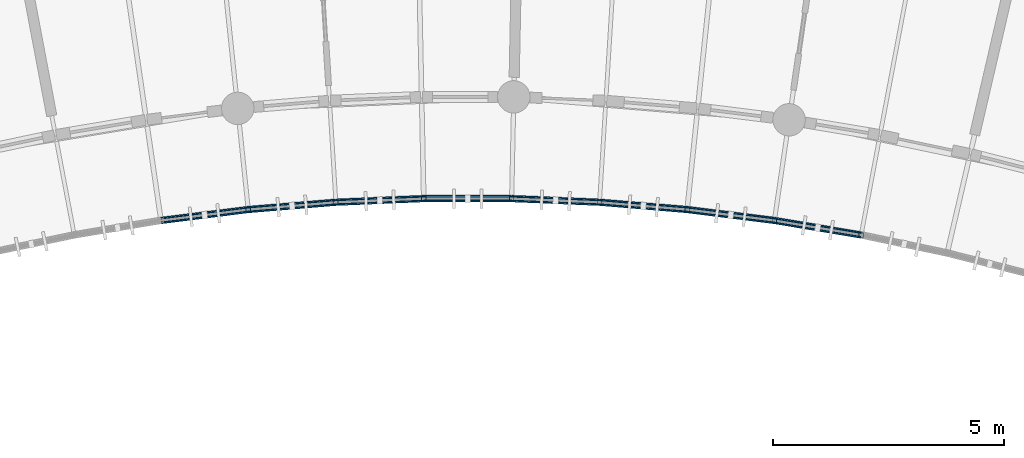
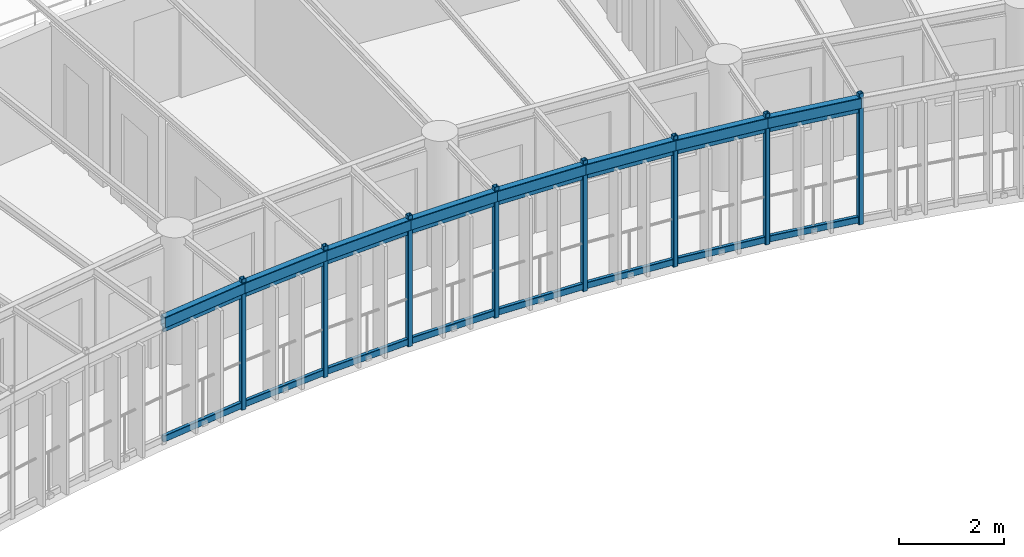
# One storey, part 45 of 123: 24 members, 8 beams.
"""IFC4 building model written with IfcOpenShell, lengths in metres."""

import ifcopenshell
import ifcopenshell.guid

model = None  # the IFC model being written
_history = None  # IfcOwnerHistory: only IFC2X3 demands one
_inside = {}  # id of a spatial element -> (the spatial element, [elements in it])
_under = {}  # id of a project, library or spatial element -> (it, [spatial elements below it])
_declared = {}  # id of a project -> (the project, [libraries it declares])
_typed = {}  # id of a type object -> (the type object, [elements of that type])
_made_of = {}  # id of a material, layer set ... -> (it, [elements and type objects made of it])


def new_model(schema):
    """Start an empty IFC model of exactly this schema.

    Asked for "IFC4X3", IfcOpenShell would pick the latest addendum, in which some entities
    have other attributes; the version numbers below select the first issue.
    IFC2X3 requires an IfcOwnerHistory on every rooted entity: one is made here for all.
    """
    global model, _history
    if schema == "IFC4X3":
        model = ifcopenshell.file(schema_version=(4, 3, 0, 0))
    else:
        model = ifcopenshell.file(schema=schema)
    _inside.clear()
    _under.clear()
    _declared.clear()
    _typed.clear()
    _made_of.clear()
    _history = None
    if model.schema == "IFC2X3":
        org = make("IfcOrganization", Name="unknown")
        user = make(
            "IfcPersonAndOrganization",
            ThePerson=make("IfcPerson", FamilyName="unknown"),
            TheOrganization=org,
        )
        app = make(
            "IfcApplication",
            ApplicationDeveloper=org,
            Version="unknown",
            ApplicationFullName="unknown",
            ApplicationIdentifier="unknown",
        )
        _history = make(
            "IfcOwnerHistory",
            OwningUser=user,
            OwningApplication=app,
            ChangeAction="ADDED",
            CreationDate=0,
        )
    return model


def make(cls, **values):
    """One entity of the class cls with the attributes given. An attribute that is None is left unset."""
    return model.create_entity(
        cls, **{name: value for name, value in values.items() if value is not None}
    )


def rooted(cls, **values):
    """An entity with a GlobalId (a new one), such as an element, a storey or a relation."""
    return make(cls, GlobalId=ifcopenshell.guid.new(), OwnerHistory=_history, **values)


def si_unit(unit_type, name, prefix=None):
    """IfcSIUnit, for example si_unit("LENGTHUNIT", "METRE", prefix="MILLI")."""
    return make("IfcSIUnit", UnitType=unit_type, Prefix=prefix, Name=name)


def assignment(units):
    """IfcUnitAssignment: the units of a project."""
    return None if units is None else make("IfcUnitAssignment", Units=units)


def point(xyz):
    """IfcCartesianPoint."""
    return None if xyz is None else make("IfcCartesianPoint", Coordinates=xyz)


def direction(xyz):
    """IfcDirection."""
    return None if xyz is None else make("IfcDirection", DirectionRatios=xyz)


def frame(location, z_axis=None, x_axis=None):
    """IfcAxis2Placement3D, a coordinate frame: its origin and axes. An axis left out is left unset."""
    return make(
        "IfcAxis2Placement3D",
        Location=point(location),
        Axis=direction(z_axis),
        RefDirection=direction(x_axis),
    )


def frame_2d(location, x_axis=None):
    """IfcAxis2Placement2D, a coordinate frame in the plane: its origin and x axis."""
    return make(
        "IfcAxis2Placement2D", Location=point(location), RefDirection=direction(x_axis)
    )


def origin():
    """The frame at (0, 0, 0) with its axes left unset."""
    return frame((0.0, 0.0, 0.0))


def origin_2d():
    """The frame at (0, 0) in the plane with its x axis left unset."""
    return frame_2d((0.0, 0.0))


def place(relative_to, where):
    """IfcLocalPlacement: puts the frame where relative to a parent placement (None: the world)."""
    return make(
        "IfcLocalPlacement", PlacementRelTo=relative_to, RelativePlacement=where
    )


def context(
    kind, dimensions, precision=None, world=None, true_north=None, identifier=None
):
    """IfcGeometricRepresentationContext, for example the 3D "Model" context."""
    return make(
        "IfcGeometricRepresentationContext",
        ContextIdentifier=identifier,
        ContextType=kind,
        CoordinateSpaceDimension=dimensions,
        Precision=precision,
        WorldCoordinateSystem=world,
        TrueNorth=true_north,
    )


def subcontext(parent, identifier, kind, view, scale=None):
    """IfcGeometricRepresentationSubContext, for example "Body" below "Model"."""
    return make(
        "IfcGeometricRepresentationSubContext",
        ContextIdentifier=identifier,
        ContextType=kind,
        ParentContext=parent,
        TargetScale=scale,
        TargetView=view,
    )


def project(units=None, contexts=None):
    """IfcProject with its units and contexts."""
    return rooted(
        "IfcProject",
        Name="project",
        RepresentationContexts=contexts,
        UnitsInContext=assignment(units),
    )


def spatial(cls, under=None, at=None, **own):
    """A site, building, storey or space (cls), placed at a placement, below another one or the project."""
    s = rooted(cls, ObjectPlacement=at, **own)
    if under is not None:
        _under.setdefault(under.id(), (under, []))[1].append(s)
    return s


def profile(cls, at=None, kind="AREA", **sizes):
    """A parametric profile (cls). Its sizes go by their IFC names, for example OverallWidth=200.0."""
    return make(cls, ProfileType=kind, Position=at, **sizes)


def hollow_rectangle(**sizes):
    """IfcRectangleHollowProfileDef."""
    return profile("IfcRectangleHollowProfileDef", **sizes)


def extrude(swept, where, along, depth):
    """IfcExtrudedAreaSolid: the profile swept, set in the frame where, extruded along a direction by depth."""
    return make(
        "IfcExtrudedAreaSolid",
        SweptArea=swept,
        Position=where,
        ExtrudedDirection=direction(along),
        Depth=depth,
    )


def shape(context_of_items, identifier, shape_type, items):
    """IfcShapeRepresentation: the items that make up one representation, for example the "Body"."""
    return make(
        "IfcShapeRepresentation",
        ContextOfItems=context_of_items,
        RepresentationIdentifier=identifier,
        RepresentationType=shape_type,
        Items=items,
    )


def material(Name=None, Category=None):
    """IfcMaterial."""
    return make("IfcMaterial", Name=Name, Category=Category)


def material_profile(
    of_material, cross_section, Name=None, Category=None, Priority=None
):
    """IfcMaterialProfile: a cross section and its material."""
    return make(
        "IfcMaterialProfile",
        Name=Name,
        Material=of_material,
        Profile=cross_section,
        Priority=Priority,
        Category=Category,
    )


def profile_set(profiles, Name=None, composite=None):
    """IfcMaterialProfileSet."""
    return make(
        "IfcMaterialProfileSet",
        Name=Name,
        MaterialProfiles=profiles,
        CompositeProfile=composite,
    )


def made_of(thing, what):
    """Note that an element or type object is made of a material, layer set ...; save() writes the relation."""
    if what is not None:
        _made_of.setdefault(what.id(), (what, []))[1].append(thing)
    return thing


def type_object(cls, material=None, **own):
    """A type object (cls), such as IfcWallType, which elements share."""
    return made_of(rooted(cls, **own), material)


def element(
    cls,
    number,
    at=None,
    inside=None,
    cuts=None,
    type_object=None,
    material=None,
    context=None,
    identifier="Body",
    shape_type=None,
    held_by="IfcProductDefinitionShape",
    body=None,
    shapes=None,
    **own,
):
    """One element of the class cls, such as IfcWall. Its Tag is "e" and its number.

    at: its placement. inside: the storey or other place that contains it. cuts: it is an
    opening in that element (IfcRelVoidsElement). A single representation is given by context,
    identifier, shape_type and body (its items); several are given by shapes. held_by: the class
    of the entity that holds the representations. save() writes the other relations.
    """
    e = rooted(cls, Tag="e%d" % number, ObjectPlacement=at, **own)
    if body is not None:
        shapes = [shape(context, identifier, shape_type, body)]
    if shapes is not None:
        e.Representation = make(held_by, Representations=shapes)
    if inside is not None:
        _inside.setdefault(inside.id(), (inside, []))[1].append(e)
    if cuts is not None:
        rooted(
            "IfcRelVoidsElement", RelatingBuildingElement=cuts, RelatedOpeningElement=e
        )
    if type_object is not None:
        _typed.setdefault(type_object.id(), (type_object, []))[1].append(e)
    return made_of(e, material)


def aggregate(whole, parts):
    """IfcRelAggregates: a whole, such as a stair, and the parts it consists of."""
    return rooted("IfcRelAggregates", RelatingObject=whole, RelatedObjects=parts)


def save(model, path):
    """Write the relations noted so far, then the file.

    IfcRelAggregates (storeys below a building ...), IfcRelContainedInSpatialStructure (elements
    in a storey), IfcRelDefinesByType, IfcRelAssociatesMaterial and IfcRelDeclares: one each for
    every whole, place, type object, material and project.
    """
    for whole, parts in _under.values():
        aggregate(whole, parts)
    for where, things in _inside.values():
        rooted(
            "IfcRelContainedInSpatialStructure",
            RelatedElements=things,
            RelatingStructure=where,
        )
    for kind, things in _typed.values():
        rooted("IfcRelDefinesByType", RelatedObjects=things, RelatingType=kind)
    for what, things in _made_of.values():
        rooted("IfcRelAssociatesMaterial", RelatedObjects=things, RelatingMaterial=what)
    for by, libraries in _declared.values():
        rooted("IfcRelDeclares", RelatingContext=by, RelatedDefinitions=libraries)
    model.write(path)


model = new_model("IFC4")

# Units and contexts
model_context = context("Model", 3, precision=1e-05, world=origin(), true_north=direction((0.0, 1.0)))
body_context = subcontext(model_context, "Body", "Model", "MODEL_VIEW")
ifc_project = project(units=[si_unit("LENGTHUNIT", "METRE"), si_unit("AREAUNIT", "SQUARE_METRE"), si_unit("VOLUMEUNIT", "CUBIC_METRE"), si_unit("PLANEANGLEUNIT", "RADIAN"), si_unit("MASSUNIT", "GRAM", prefix="KILO"), si_unit("POWERUNIT", "WATT"), si_unit("THERMODYNAMICTEMPERATUREUNIT", "KELVIN")], contexts=[model_context])

# Site, building, storey
site_placement = place(None, origin())
site = spatial("IfcSite", under=ifc_project, at=site_placement, CompositionType="ELEMENT")
building_placement = place(site_placement, origin())
building = spatial("IfcBuilding", under=site, at=building_placement, Name="Ruvembo Vaulted Housing Court", CompositionType="ELEMENT")
storey_placement = place(building_placement, frame((0.0, 0.0, 7.699951171875)))
storey = spatial("IfcBuildingStorey", under=building, at=storey_placement, Name="L02", CompositionType="ELEMENT", Elevation=7.699951171875)

# Beams
ifc_material = material(Name="Steel S355J2", Category="steel")
ifc_material_profile_1 = material_profile(ifc_material, hollow_rectangle(XDim=0.14990234375, YDim=0.25, WallThickness=0.010009765625, InnerFilletRadius=0.010009765625, OuterFilletRadius=0.02001953125, at=origin_2d()), Name="RHS 250x150x10")
ifc_profile_set_1 = profile_set([ifc_material_profile_1], Name="Steel S355J2")
beam_type = type_object("IfcBeamType", Name="BM-ST-RHS250", PredefinedType="SPANDREL", material=ifc_profile_set_1)
for number, where, z_axis, x_axis, name in (
    (1, (110.369140625, 95.3173828125, 2.81494140625), (0.992244255502, 0.124303408739, 0.0), (-0.124303408739, 0.992244255502, 0.0), "Scoop SC3 L02 Balcony Edge Spandrel 11"),
    (2, (112.255615234375, 95.5537109375, 2.81494140625), (0.99656344911, 0.082832915551, 0.0), (-0.082832915551, 0.99656344911, 0.0), "Scoop SC3 L02 Balcony Edge Spandrel 12"),
    (3, (114.150146484375, 95.711181640625, 2.81494140625), (0.999139293915, 0.041480975827, 0.0), (-0.041480975827, 0.999139293915, 0.0), "Scoop SC3 L02 Balcony Edge Spandrel 13"),
):
    element("IfcBeam", number, at=place(storey_placement, frame(where, z_axis=z_axis, x_axis=x_axis)), inside=storey, type_object=beam_type, Name=name, PredefinedType="SPANDREL", context=body_context, shape_type="SweptSolid", body=[
        extrude(hollow_rectangle(XDim=0.14990234375, YDim=0.25, WallThickness=0.010009765625, InnerFilletRadius=0.010009765625, OuterFilletRadius=0.02001953125, at=origin_2d()), origin(), (0.0, 0.0, 1.0), 1.901123046875),
    ])
beam_1_placement = place(storey_placement, frame((116.049560546875, 95.7900390625, 2.81494140625), z_axis=(1.0, 0.0, 0.0), x_axis=(0.0, 1.0, 0.0)))
element("IfcBeam", 4, at=beam_1_placement, inside=storey, type_object=beam_type, Name="Scoop SC3 L02 Balcony Edge Spandrel 14", PredefinedType="SPANDREL", context=body_context, shape_type="SweptSolid", body=[
    extrude(hollow_rectangle(XDim=0.14990234375, YDim=0.25, WallThickness=0.010009765625, InnerFilletRadius=0.010009765625, OuterFilletRadius=0.02001953125, at=origin_2d()), origin(), (0.0, 0.0, 1.0), 1.90087890625),
])
for number, where, z_axis, x_axis, name in (
    (5, (117.950439453125, 95.7900390625, 2.81494140625), (0.999139293915, -0.041480975827, 0.0), (0.041480975827, 0.999139293915, 0.0), "Scoop SC3 L02 Balcony Edge Spandrel 15"),
    (6, (119.849853515625, 95.711181640625, 2.81494140625), (0.99656344911, -0.082832915551, 0.0), (0.082832915551, 0.99656344911, 0.0), "Scoop SC3 L02 Balcony Edge Spandrel 16"),
    (7, (121.744384765625, 95.5537109375, 2.81494140625), (0.992244255502, -0.124303408739, 0.0), (0.124303408739, 0.992244255502, 0.0), "Scoop SC3 L02 Balcony Edge Spandrel 17"),
):
    element("IfcBeam", number, at=place(storey_placement, frame(where, z_axis=z_axis, x_axis=x_axis)), inside=storey, type_object=beam_type, Name=name, PredefinedType="SPANDREL", context=body_context, shape_type="SweptSolid", body=[
        extrude(hollow_rectangle(XDim=0.14990234375, YDim=0.25, WallThickness=0.010009765625, InnerFilletRadius=0.010009765625, OuterFilletRadius=0.02001953125, at=origin_2d()), origin(), (0.0, 0.0, 1.0), 1.901123046875),
    ])
beam_2_placement = place(storey_placement, frame((123.630859375, 95.3173828125, 2.81494140625), z_axis=(0.986265186139, -0.165169557153, 0.0), x_axis=(0.165169557153, 0.986265186139, 0.0)))
element("IfcBeam", 8, at=beam_2_placement, inside=storey, type_object=beam_type, Name="Scoop SC3 L02 Balcony Edge Spandrel 18", PredefinedType="SPANDREL", context=body_context, shape_type="SweptSolid", body=[
    extrude(hollow_rectangle(XDim=0.14990234375, YDim=0.25, WallThickness=0.010009765625, InnerFilletRadius=0.010009765625, OuterFilletRadius=0.02001953125, at=origin_2d()), origin(), (0.0, 0.0, 1.0), 1.90087890625),
])

# Members
ifc_material_profile_2 = material_profile(ifc_material, hollow_rectangle(XDim=0.06005859375, YDim=0.1201171875, WallThickness=0.0048828125, InnerFilletRadius=0.0048828125, OuterFilletRadius=0.010009765625, at=origin_2d()), Name="RHS 120x60x5")
ifc_profile_set_2 = profile_set([ifc_material_profile_2], Name="Steel S355J2")
member_type_1 = type_object("IfcMemberType", Name="MEM-CAR-RHS120", PredefinedType="CHORD", material=ifc_profile_set_2)
for number, where, z_axis, x_axis, name in (
    (9, (110.369140625, 95.3173828125, 2.633056640625), (0.992244255502, 0.124303408739, 0.0), (-0.124303408739, 0.992244255502, 0.0), "Scoop SC3 L02 Upper Louvre Carrier Rail 11"),
    (10, (112.255615234375, 95.5537109375, 2.633056640625), (0.99656344911, 0.082832915551, 0.0), (-0.082832915551, 0.99656344911, 0.0), "Scoop SC3 L02 Upper Louvre Carrier Rail 12"),
    (11, (114.150146484375, 95.711181640625, 2.633056640625), (0.999139293915, 0.041480975827, 0.0), (-0.041480975827, 0.999139293915, 0.0), "Scoop SC3 L02 Upper Louvre Carrier Rail 13"),
):
    element("IfcMember", number, at=place(storey_placement, frame(where, z_axis=z_axis, x_axis=x_axis)), inside=storey, type_object=member_type_1, Name=name, PredefinedType="CHORD", context=body_context, shape_type="SweptSolid", body=[
        extrude(hollow_rectangle(XDim=0.06005859375, YDim=0.1201171875, WallThickness=0.0048828125, InnerFilletRadius=0.0048828125, OuterFilletRadius=0.010009765625, at=origin_2d()), origin(), (0.0, 0.0, 1.0), 1.901123046875),
    ])
member_1_placement = place(storey_placement, frame((116.049560546875, 95.7900390625, 2.633056640625), z_axis=(1.0, 0.0, 0.0), x_axis=(0.0, 1.0, 0.0)))
element("IfcMember", 12, at=member_1_placement, inside=storey, type_object=member_type_1, Name="Scoop SC3 L02 Upper Louvre Carrier Rail 14", PredefinedType="CHORD", context=body_context, shape_type="SweptSolid", body=[
    extrude(hollow_rectangle(XDim=0.06005859375, YDim=0.1201171875, WallThickness=0.0048828125, InnerFilletRadius=0.0048828125, OuterFilletRadius=0.010009765625, at=origin_2d()), origin(), (0.0, 0.0, 1.0), 1.90087890625),
])
for number, where, z_axis, x_axis, name in (
    (13, (117.950439453125, 95.7900390625, 2.633056640625), (0.999139293915, -0.041480975827, 0.0), (0.041480975827, 0.999139293915, 0.0), "Scoop SC3 L02 Upper Louvre Carrier Rail 15"),
    (14, (119.849853515625, 95.711181640625, 2.633056640625), (0.99656344911, -0.082832915551, 0.0), (0.082832915551, 0.99656344911, 0.0), "Scoop SC3 L02 Upper Louvre Carrier Rail 16"),
    (15, (121.744384765625, 95.5537109375, 2.633056640625), (0.992244255502, -0.124303408739, 0.0), (0.124303408739, 0.992244255502, 0.0), "Scoop SC3 L02 Upper Louvre Carrier Rail 17"),
):
    element("IfcMember", number, at=place(storey_placement, frame(where, z_axis=z_axis, x_axis=x_axis)), inside=storey, type_object=member_type_1, Name=name, PredefinedType="CHORD", context=body_context, shape_type="SweptSolid", body=[
        extrude(hollow_rectangle(XDim=0.06005859375, YDim=0.1201171875, WallThickness=0.0048828125, InnerFilletRadius=0.0048828125, OuterFilletRadius=0.010009765625, at=origin_2d()), origin(), (0.0, 0.0, 1.0), 1.901123046875),
    ])
member_2_placement = place(storey_placement, frame((123.630859375, 95.3173828125, 2.633056640625), z_axis=(0.986265186139, -0.165169557153, 0.0), x_axis=(0.165169557153, 0.986265186139, 0.0)))
element("IfcMember", 16, at=member_2_placement, inside=storey, type_object=member_type_1, Name="Scoop SC3 L02 Upper Louvre Carrier Rail 18", PredefinedType="CHORD", context=body_context, shape_type="SweptSolid", body=[
    extrude(hollow_rectangle(XDim=0.06005859375, YDim=0.1201171875, WallThickness=0.0048828125, InnerFilletRadius=0.0048828125, OuterFilletRadius=0.010009765625, at=origin_2d()), origin(), (0.0, 0.0, 1.0), 1.90087890625),
])
ifc_material_profile_3 = material_profile(ifc_material, hollow_rectangle(XDim=0.080078125, YDim=0.14990234375, WallThickness=0.00634765625, InnerFilletRadius=0.00634765625, OuterFilletRadius=0.0126953125, at=origin_2d()), Name="RHS 150x80x6.3")
ifc_profile_set_3 = profile_set([ifc_material_profile_3], Name="Steel S355J2")
member_type_2 = type_object("IfcMemberType", Name="MEM-CAR-RHS150", PredefinedType="CHORD", material=ifc_profile_set_3)
for number, where, z_axis, x_axis, name in (
    (17, (110.369140625, 95.3173828125, 0.094970703125), (0.992244255502, 0.124303408739, 0.0), (-0.124303408739, 0.992244255502, 0.0), "Scoop SC3 L02 Lower Louvre Carrier Rail 11"),
    (18, (112.255615234375, 95.5537109375, 0.094970703125), (0.99656344911, 0.082832915551, 0.0), (-0.082832915551, 0.99656344911, 0.0), "Scoop SC3 L02 Lower Louvre Carrier Rail 12"),
    (19, (114.150146484375, 95.711181640625, 0.094970703125), (0.999139293915, 0.041480975827, 0.0), (-0.041480975827, 0.999139293915, 0.0), "Scoop SC3 L02 Lower Louvre Carrier Rail 13"),
):
    element("IfcMember", number, at=place(storey_placement, frame(where, z_axis=z_axis, x_axis=x_axis)), inside=storey, type_object=member_type_2, Name=name, PredefinedType="CHORD", context=body_context, shape_type="SweptSolid", body=[
        extrude(hollow_rectangle(XDim=0.080078125, YDim=0.14990234375, WallThickness=0.00634765625, InnerFilletRadius=0.00634765625, OuterFilletRadius=0.0126953125, at=origin_2d()), origin(), (0.0, 0.0, 1.0), 1.901123046875),
    ])
member_3_placement = place(storey_placement, frame((116.049560546875, 95.7900390625, 0.094970703125), z_axis=(1.0, 0.0, 0.0), x_axis=(0.0, 1.0, 0.0)))
element("IfcMember", 20, at=member_3_placement, inside=storey, type_object=member_type_2, Name="Scoop SC3 L02 Lower Louvre Carrier Rail 14", PredefinedType="CHORD", context=body_context, shape_type="SweptSolid", body=[
    extrude(hollow_rectangle(XDim=0.080078125, YDim=0.14990234375, WallThickness=0.00634765625, InnerFilletRadius=0.00634765625, OuterFilletRadius=0.0126953125, at=origin_2d()), origin(), (0.0, 0.0, 1.0), 1.90087890625),
])
for number, where, z_axis, x_axis, name in (
    (21, (117.950439453125, 95.7900390625, 0.094970703125), (0.999139293915, -0.041480975827, 0.0), (0.041480975827, 0.999139293915, 0.0), "Scoop SC3 L02 Lower Louvre Carrier Rail 15"),
    (22, (119.849853515625, 95.711181640625, 0.094970703125), (0.99656344911, -0.082832915551, 0.0), (0.082832915551, 0.99656344911, 0.0), "Scoop SC3 L02 Lower Louvre Carrier Rail 16"),
    (23, (121.744384765625, 95.5537109375, 0.094970703125), (0.992244255502, -0.124303408739, 0.0), (0.124303408739, 0.992244255502, 0.0), "Scoop SC3 L02 Lower Louvre Carrier Rail 17"),
):
    element("IfcMember", number, at=place(storey_placement, frame(where, z_axis=z_axis, x_axis=x_axis)), inside=storey, type_object=member_type_2, Name=name, PredefinedType="CHORD", context=body_context, shape_type="SweptSolid", body=[
        extrude(hollow_rectangle(XDim=0.080078125, YDim=0.14990234375, WallThickness=0.00634765625, InnerFilletRadius=0.00634765625, OuterFilletRadius=0.0126953125, at=origin_2d()), origin(), (0.0, 0.0, 1.0), 1.901123046875),
    ])
member_4_placement = place(storey_placement, frame((123.630859375, 95.3173828125, 0.094970703125), z_axis=(0.986265186139, -0.165169557153, 0.0), x_axis=(0.165169557153, 0.986265186139, 0.0)))
element("IfcMember", 24, at=member_4_placement, inside=storey, type_object=member_type_2, Name="Scoop SC3 L02 Lower Louvre Carrier Rail 18", PredefinedType="CHORD", context=body_context, shape_type="SweptSolid", body=[
    extrude(hollow_rectangle(XDim=0.080078125, YDim=0.14990234375, WallThickness=0.00634765625, InnerFilletRadius=0.00634765625, OuterFilletRadius=0.0126953125, at=origin_2d()), origin(), (0.0, 0.0, 1.0), 1.90087890625),
])
ifc_material_profile_4 = material_profile(ifc_material, hollow_rectangle(XDim=0.10009765625, YDim=0.10009765625, WallThickness=0.00634765625, InnerFilletRadius=0.00634765625, OuterFilletRadius=0.0126953125, at=origin_2d()), Name="SHS 100x100x6.3")
ifc_profile_set_4 = profile_set([ifc_material_profile_4], Name="Steel S355J2")
member_type_3 = type_object("IfcMemberType", Name="MEM-FRM-SHS100", PredefinedType="STRUT", material=ifc_profile_set_4)
for number, where, z_axis, x_axis, name in (
    (25, (112.255615234375, 95.5537109375, -0.014892578125), (0.0, 0.0, 1.0), (1.0, 0.0, 0.0), "Scoop SC3 L02 Louvre Frame Post 12"),
    (26, (114.150146484375, 95.711181640625, -0.014892578125), (0.0, 0.0, 1.0), (1.0, 0.0, 0.0), "Scoop SC3 L02 Louvre Frame Post 13"),
    (27, (116.049560546875, 95.7900390625, -0.014892578125), (0.0, 0.0, 1.0), (1.0, 0.0, 0.0), "Scoop SC3 L02 Louvre Frame Post 14"),
    (28, (117.950439453125, 95.7900390625, -0.014892578125), (0.0, 0.0, 1.0), (1.0, 0.0, 0.0), "Scoop SC3 L02 Louvre Frame Post 15"),
    (29, (119.849853515625, 95.711181640625, -0.014892578125), (0.0, 0.0, 1.0), (1.0, 0.0, 0.0), "Scoop SC3 L02 Louvre Frame Post 16"),
    (30, (121.744384765625, 95.5537109375, -0.014892578125), (0.0, 0.0, 1.0), (1.0, 0.0, 0.0), "Scoop SC3 L02 Louvre Frame Post 17"),
    (31, (123.630859375, 95.3173828125, -0.014892578125), (0.0, 0.0, 1.0), (1.0, 0.0, 0.0), "Scoop SC3 L02 Louvre Frame Post 18"),
    (32, (125.505615234375, 95.00341796875, -0.014892578125), (0.0, 0.0, 1.0), (1.0, 0.0, 0.0), "Scoop SC3 L02 Louvre Frame Post 19"),
):
    element("IfcMember", number, at=place(storey_placement, frame(where, z_axis=z_axis, x_axis=x_axis)), inside=storey, type_object=member_type_3, Name=name, PredefinedType="STRUT", context=body_context, shape_type="SweptSolid", body=[
        extrude(hollow_rectangle(XDim=0.10009765625, YDim=0.10009765625, WallThickness=0.00634765625, InnerFilletRadius=0.00634765625, OuterFilletRadius=0.0126953125, at=origin_2d()), origin(), (0.0, 0.0, 1.0), 3.041015625),
    ])

save(model, "model.ifc")
